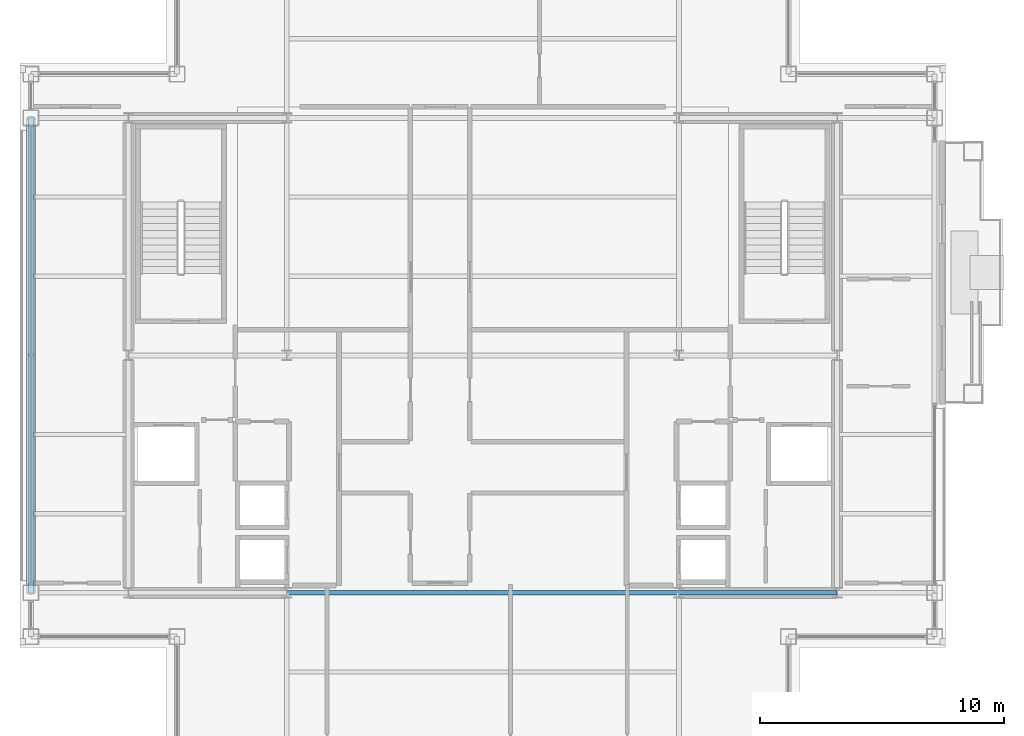
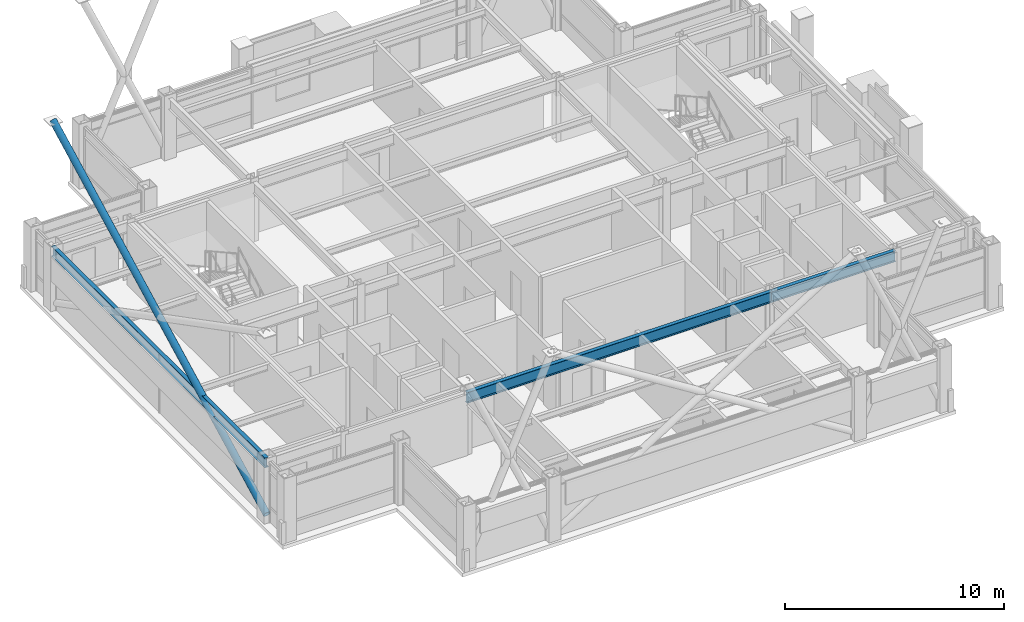
# One storey, part 10 of 30: 3 beams, 1 member.
"""IFC4 building model written with IfcOpenShell, lengths in metres."""

from ifc_helpers import new_model, si_unit, direction, frame, origin, origin_2d, place, context, subcontext, project, spatial, hollow_circle, i_section, extrude, material, material_profile, profile_set, type_object, element, save


model = new_model("IFC4")

# Units and contexts
model_context = context("Model", 3, precision=1e-05, world=origin(), true_north=direction((0.0, 1.0)))
body_context = subcontext(model_context, "Body", "Model", "MODEL_VIEW")
ifc_project = project(units=[si_unit("LENGTHUNIT", "METRE"), si_unit("AREAUNIT", "SQUARE_METRE"), si_unit("VOLUMEUNIT", "CUBIC_METRE"), si_unit("PLANEANGLEUNIT", "RADIAN"), si_unit("MASSUNIT", "GRAM", prefix="KILO")], contexts=[model_context])

# Site, building, storey
site_placement = place(None, origin())
site = spatial("IfcSite", under=ifc_project, at=site_placement, CompositionType="ELEMENT")
building_placement = place(site_placement, origin())
building = spatial("IfcBuilding", under=site, at=building_placement, Name="Brelmoor Portico Tower", CompositionType="ELEMENT")
storey_placement = place(building_placement, frame((0.0, 0.0, 236.39990234375)))
storey = spatial("IfcBuildingStorey", under=building, at=storey_placement, Name="L62", CompositionType="ELEMENT", Elevation=236.39990234375)

# Beams
ifc_material = material(Name="Steel Q355B", Category="steel")
ifc_material_profile_1 = material_profile(ifc_material, i_section(OverallWidth=0.199951171875, OverallDepth=0.60009765625, WebThickness=0.010986328125, FlangeThickness=0.01708984375, at=origin_2d()), Name="HN 600x200x11x17")
ifc_profile_set_1 = profile_set([ifc_material_profile_1], Name="Steel Q355B")
beam_type_1 = type_object("IfcBeamType", Name="BM-PG-600", PredefinedType="BEAM", material=ifc_profile_set_1)
beam_1_placement = place(storey_placement, frame((-8.050048828125, -9.75, 3.10009765625), z_axis=(1.0, 0.0, 0.0), x_axis=(0.0, 1.0, 0.0)))
element("IfcBeam", 1, at=beam_1_placement, inside=storey, type_object=beam_type_1, Name="L62 Primary Floor Girder PG-13", PredefinedType="BEAM", context=body_context, shape_type="SweptSolid", body=[
    extrude(i_section(OverallWidth=0.199951171875, OverallDepth=0.60009765625, WebThickness=0.010986328125, FlangeThickness=0.01708984375, at=origin_2d()), origin(), (0.0, 0.0, 1.0), 16.10009765625),
])
beam_2_placement = place(storey_placement, frame((8.050048828125, -9.75, 3.10009765625), z_axis=(1.0, 0.0, 0.0), x_axis=(0.0, 1.0, 0.0)))
element("IfcBeam", 2, at=beam_2_placement, inside=storey, type_object=beam_type_1, Name="L62 Primary Floor Girder PG-14", PredefinedType="BEAM", context=body_context, shape_type="SweptSolid", body=[
    extrude(i_section(OverallWidth=0.199951171875, OverallDepth=0.60009765625, WebThickness=0.010986328125, FlangeThickness=0.01708984375, at=origin_2d()), origin(), (0.0, 0.0, 1.0), 6.5),
])
ifc_material_profile_2 = material_profile(ifc_material, i_section(OverallWidth=0.199951171875, OverallDepth=0.550048828125, WebThickness=0.010009765625, FlangeThickness=0.01611328125, at=origin_2d()), Name="HN 550x200x10x16")
ifc_profile_set_2 = profile_set([ifc_material_profile_2], Name="Steel Q355B")
beam_type_2 = type_object("IfcBeamType", Name="BM-SP-550", PredefinedType="SPANDREL", material=ifc_profile_set_2)
beam_3_placement = place(storey_placement, frame((-18.550048828125, -9.75, 3.125), z_axis=(0.0, 1.0, 0.0), x_axis=(-1.0, 0.0, 0.0)))
element("IfcBeam", 3, at=beam_3_placement, inside=storey, type_object=beam_type_2, Name="L62 Perimeter Spandrel Beam SP-12", PredefinedType="SPANDREL", context=body_context, shape_type="SweptSolid", body=[
    extrude(i_section(OverallWidth=0.199951171875, OverallDepth=0.550048828125, WebThickness=0.010009765625, FlangeThickness=0.01611328125, at=origin_2d()), origin(), (0.0, 0.0, 1.0), 19.5),
])

# Member
ifc_material_profile_3 = material_profile(ifc_material, hollow_circle(Radius=0.177978515625, WallThickness=0.01611328125, at=origin_2d()), Name="CHS 356x16")
ifc_profile_set_3 = profile_set([ifc_material_profile_3], Name="Steel Q355B")
member_type = type_object("IfcMemberType", Name="MB-BELT-DIAG2", PredefinedType="BRACE", material=ifc_profile_set_3)
member_placement = place(storey_placement, frame((-18.550048828125, -9.75, 0.25), z_axis=(0.0, 0.887959386012, 0.459921872488), x_axis=(-1.0, 0.0, 0.0)))
element("IfcMember", 4, at=member_placement, inside=storey, type_object=member_type, Name="L62 Continuous Mega-X Brace 144A", PredefinedType="BRACE", context=body_context, shape_type="SweptSolid", body=[
    extrude(hollow_circle(Radius=0.177978515625, WallThickness=0.01611328125, at=origin_2d()), origin(), (0.0, 0.0, 1.0), 21.96044921875),
])

save(model, "model.ifc")
